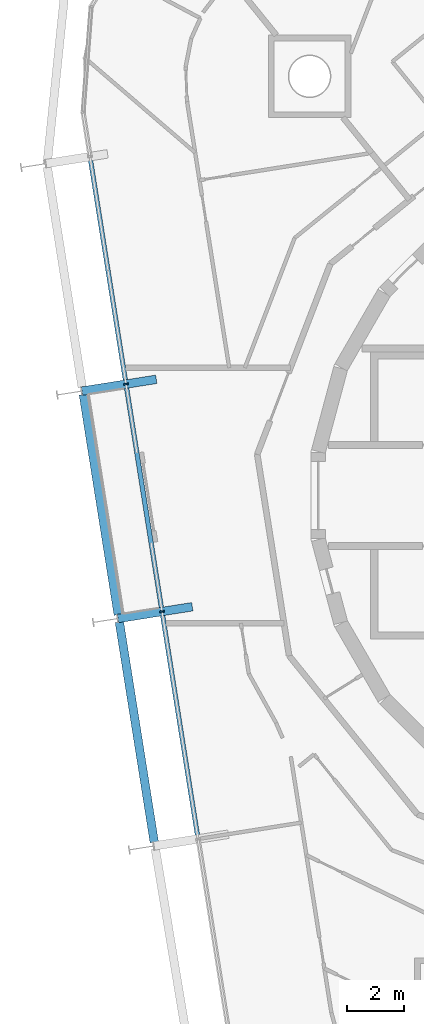
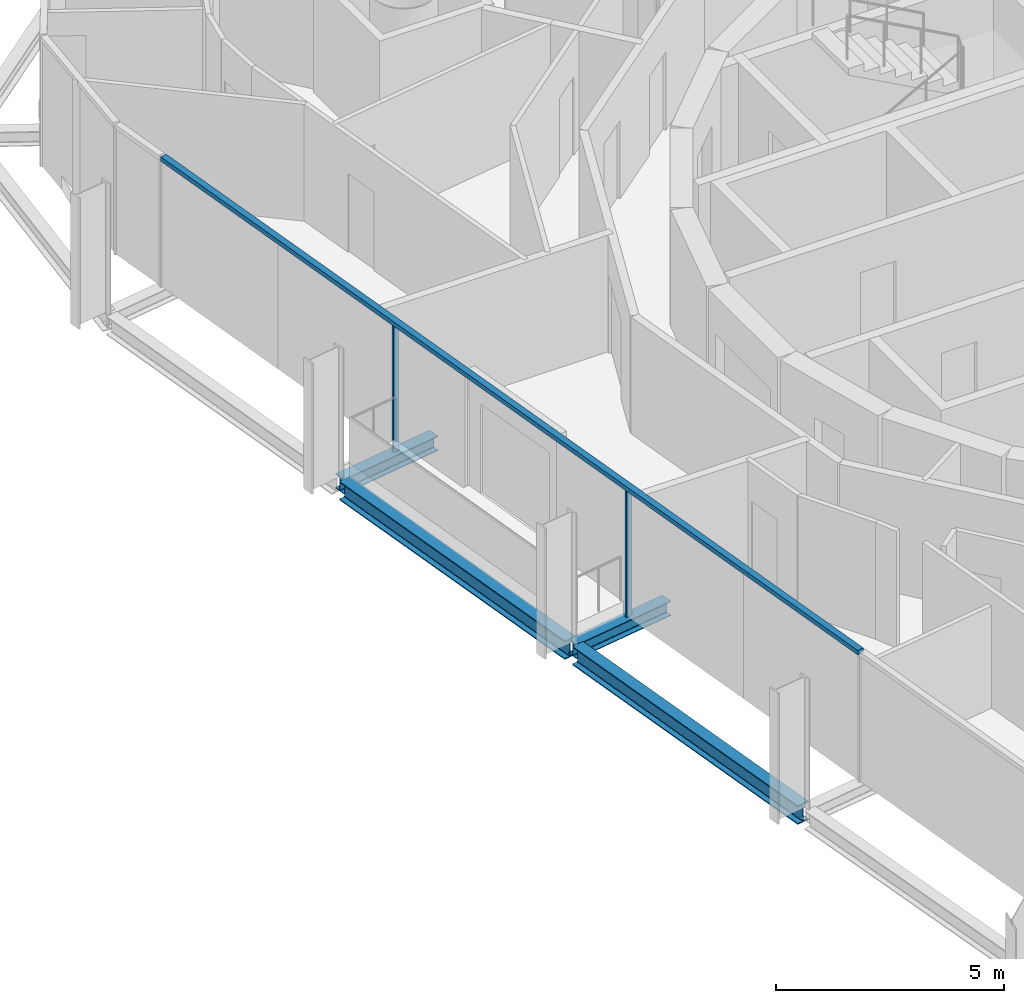
# One storey, part 3 of 17: 4 beams, 3 members, 1 element without a shape of its own.
"""IFC4 building model written with IfcOpenShell, lengths in metres."""

from ifc_helpers import new_model, si_unit, direction, frame, origin, origin_2d, place, context, subcontext, project, spatial, rectangle, i_section, extrude, material, layer, layer_set, material_profile, profile_set, type_object, element, aggregate, save


model = new_model("IFC4")

# Units and contexts
model_context = context("Model", 3, precision=1e-05, world=origin(), true_north=direction((0.0, 1.0)))
body_context = subcontext(model_context, "Body", "Model", "MODEL_VIEW")
ifc_project = project(units=[si_unit("LENGTHUNIT", "METRE"), si_unit("AREAUNIT", "SQUARE_METRE"), si_unit("VOLUMEUNIT", "CUBIC_METRE"), si_unit("PLANEANGLEUNIT", "RADIAN"), si_unit("MASSUNIT", "GRAM", prefix="KILO")], contexts=[model_context])

# Site, building, storey
site_placement = place(None, origin())
site = spatial("IfcSite", under=ifc_project, at=site_placement, CompositionType="ELEMENT")
building_placement = place(site_placement, origin())
building = spatial("IfcBuilding", under=site, at=building_placement, Name="Spindle Arch Residences", CompositionType="ELEMENT")
storey_placement = place(building_placement, frame((0.0, 0.0, 284.39990234375)))
storey = spatial("IfcBuildingStorey", under=building, at=storey_placement, Name="L73", CompositionType="ELEMENT", Elevation=284.39990234375)

# Curtain wall, members
ifc_material_1 = material(Name="Aluminium bronze unitised frame with tinted glass", Category="aluminium")
ifc_layer = layer(ifc_material_1, 0.159912109375)
ifc_layer_set = layer_set([ifc_layer], Name="CW-C typical residential unitised wall")
curtain_wall_type = type_object("IfcCurtainWallType", Name="CW-C typical residential unitised wall", PredefinedType="NOTDEFINED", material=ifc_layer_set)
curtain_wall_placement = place(storey_placement, origin())
curtain_wall = element("IfcCurtainWall", 1, at=curtain_wall_placement, inside=storey, type_object=curtain_wall_type, Name="CW-C L73 run 4", PredefinedType="NOTDEFINED")
ifc_material_2 = material(Name="Aluminium bronze anodised mullion", Category="aluminium")
ifc_material_profile_1 = material_profile(ifc_material_2, rectangle(XDim=0.159912109375, YDim=0.06005859375, at=origin_2d()), Name="MU 60x160")
ifc_profile_set_1 = profile_set([ifc_material_profile_1], Name="Aluminium bronze anodised mullion")
member_type_1 = type_object("IfcMemberType", Name="Bronze mullion 60x160", PredefinedType="MULLION", material=ifc_profile_set_1)
member_1_placement = place(storey_placement, frame((-18.417236328125, 3.923583984375, -0.3798828125), z_axis=(0.0, 0.0, 1.0), x_axis=(0.987688340595, 0.15643446504, 0.0)))
member_1 = element("IfcMember", 2, at=member_1_placement, type_object=member_type_1, Name="CW-C mullion 12", PredefinedType="MULLION", context=body_context, shape_type="SweptSolid", body=[
    extrude(rectangle(XDim=0.159912109375, YDim=0.06005859375, at=origin_2d()), origin(), (0.0, 0.0, 1.0), 3.3798828125),
])
member_2_placement = place(storey_placement, frame((-17.14892578125, -4.084228515625, -0.3798828125), z_axis=(0.0, 0.0, 1.0), x_axis=(0.987688340595, 0.15643446504, 0.0)))
member_2 = element("IfcMember", 3, at=member_2_placement, type_object=member_type_1, Name="CW-C mullion 13", PredefinedType="MULLION", context=body_context, shape_type="SweptSolid", body=[
    extrude(rectangle(XDim=0.159912109375, YDim=0.06005859375, at=origin_2d()), origin(), (0.0, 0.0, 1.0), 3.3798828125),
])
ifc_material_3 = material(Name="Aluminium bronze anodised transom", Category="aluminium")
ifc_material_profile_2 = material_profile(ifc_material_3, rectangle(XDim=0.159912109375, YDim=0.1201171875, at=origin_2d()), Name="TR 120x160")
ifc_profile_set_2 = profile_set([ifc_material_profile_2], Name="Aluminium bronze anodised transom")
member_type_2 = type_object("IfcMemberType", Name="Bronze transom 120x160", PredefinedType="USERDEFINED", material=ifc_profile_set_2)
member_3_placement = place(storey_placement, frame((-19.6806640625, 11.901611328125, 3.06005859375), z_axis=(0.156430704214, -0.987688936244, 0.0), x_axis=(0.987688936244, 0.156430704214, 0.0)))
member_3 = element("IfcMember", 4, at=member_3_placement, type_object=member_type_2, Name="CW-C transom 00", ObjectType="TRANSOM", PredefinedType="USERDEFINED", context=body_context, shape_type="SweptSolid", body=[
    extrude(rectangle(XDim=0.159912109375, YDim=0.1201171875, at=origin_2d()), origin(), (0.0, 0.0, 1.0), 24.262451171875),
])
aggregate(curtain_wall, [member_3, member_1, member_2])

# Beams
ifc_material_4 = material(Name="Steel S460ML, intumescent coating R 120", Category="steel")
ifc_material_profile_3 = material_profile(ifc_material_4, i_section(OverallWidth=0.300048828125, OverallDepth=0.5, WebThickness=0.014404296875, FlangeThickness=0.028076171875, FilletRadius=0.027099609375, at=origin_2d()), Name="HEB 500")
ifc_profile_set_3 = profile_set([ifc_material_profile_3], Name="Steel S460ML, intumescent coating R 120")
beam_type_1 = type_object("IfcBeamType", Name="Exoskeleton edge beam HEB 500", PredefinedType="BEAM", material=ifc_profile_set_3)
for number, where, z_axis, x_axis, name in (
    (5, (-19.91796875, 3.55419921875, -0.6298828125), (0.156453001738, -0.987685404492, 0.0), (0.987685404492, 0.156453001738, 0.0), "Exoskeleton edge beam 13"),
    (6, (-18.6494140625, -4.45361328125, -0.6298828125), (0.156422652856, -0.987690211389, 0.0), (0.987690211389, 0.156422652856, 0.0), "Exoskeleton edge beam 14"),
):
    element("IfcBeam", number, at=place(storey_placement, frame(where, z_axis=z_axis, x_axis=x_axis)), inside=storey, type_object=beam_type_1, Name=name, PredefinedType="BEAM", context=body_context, shape_type="SweptSolid", body=[
        extrude(i_section(OverallWidth=0.300048828125, OverallDepth=0.5, WebThickness=0.014404296875, FlangeThickness=0.028076171875, FilletRadius=0.027099609375, at=origin_2d()), origin(), (0.0, 0.0, 1.0), 7.84765625),
    ])
ifc_material_5 = material(Name="Steel S460ML, intumescent coating R 120", Category="steel")
ifc_material_profile_4 = material_profile(ifc_material_5, i_section(OverallWidth=0.300048828125, OverallDepth=0.389892578125, WebThickness=0.010986328125, FlangeThickness=0.01904296875, FilletRadius=0.027099609375, at=origin_2d()), Name="HEA 400")
ifc_profile_set_4 = profile_set([ifc_material_profile_4], Name="Steel S460ML, intumescent coating R 120")
beam_type_2 = type_object("IfcBeamType", Name="Floor outrigger HEA 400", PredefinedType="BEAM", material=ifc_profile_set_4)
beam_1_placement = place(storey_placement, frame((-19.9677734375, 3.677978515625, -0.574951171875), z_axis=(0.987686649348, 0.156445142779, 0.0), x_axis=(-0.156445142779, 0.987686649348, 0.0)))
element("IfcBeam", 7, at=beam_1_placement, inside=storey, type_object=beam_type_2, Name="Floor outrigger 13", PredefinedType="BEAM", context=body_context, shape_type="SweptSolid", body=[
    extrude(i_section(OverallWidth=0.300048828125, OverallDepth=0.389892578125, WebThickness=0.010986328125, FlangeThickness=0.01904296875, FilletRadius=0.027099609375, at=origin_2d()), origin(), (0.0, 0.0, 1.0), 2.64990234375),
])
beam_2_placement = place(storey_placement, frame((-18.699462890625, -4.329833984375, -0.574951171875), z_axis=(0.987688904051, 0.156430907479, 0.0), x_axis=(-0.156430907479, 0.987688904051, 0.0)))
element("IfcBeam", 8, at=beam_2_placement, inside=storey, type_object=beam_type_2, Name="Floor outrigger 14", PredefinedType="BEAM", context=body_context, shape_type="SweptSolid", body=[
    extrude(i_section(OverallWidth=0.300048828125, OverallDepth=0.389892578125, WebThickness=0.010986328125, FlangeThickness=0.01904296875, FilletRadius=0.027099609375, at=origin_2d()), origin(), (0.0, 0.0, 1.0), 2.650146484375),
])

save(model, "model.ifc")
